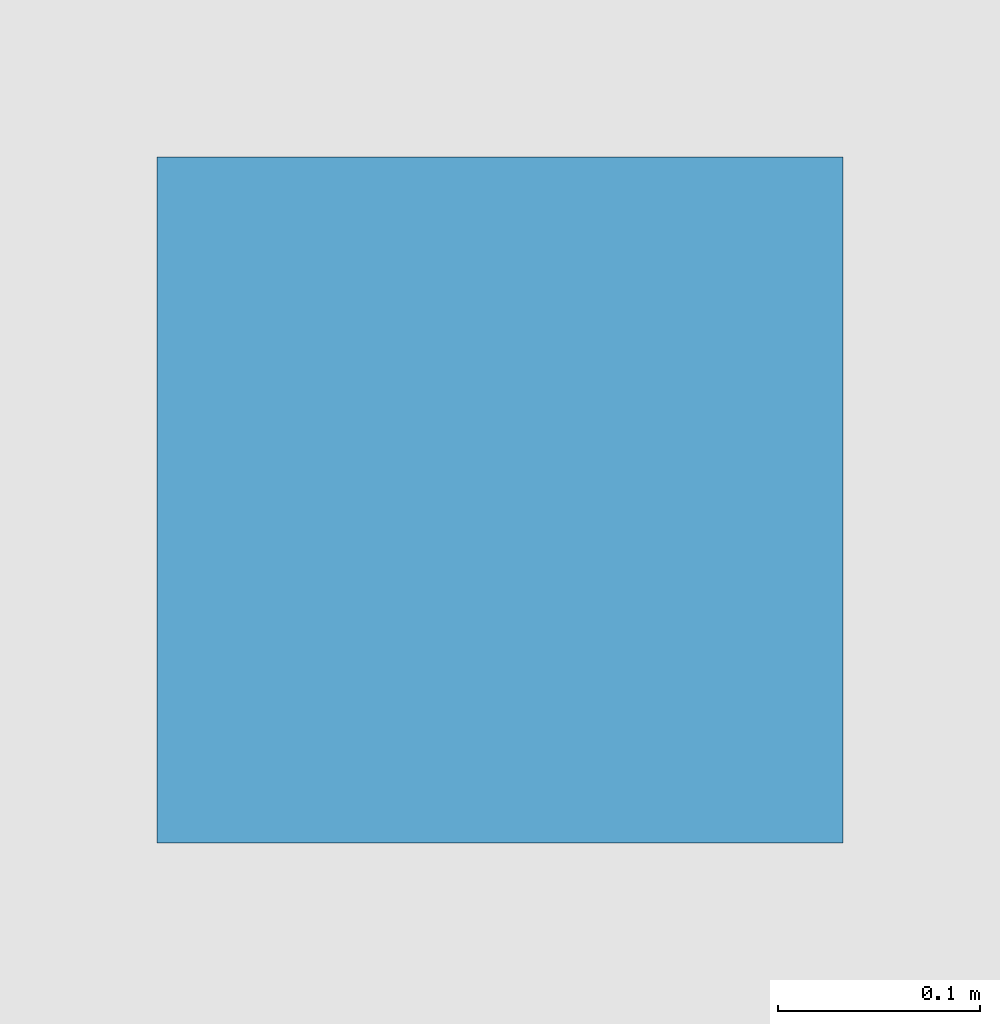
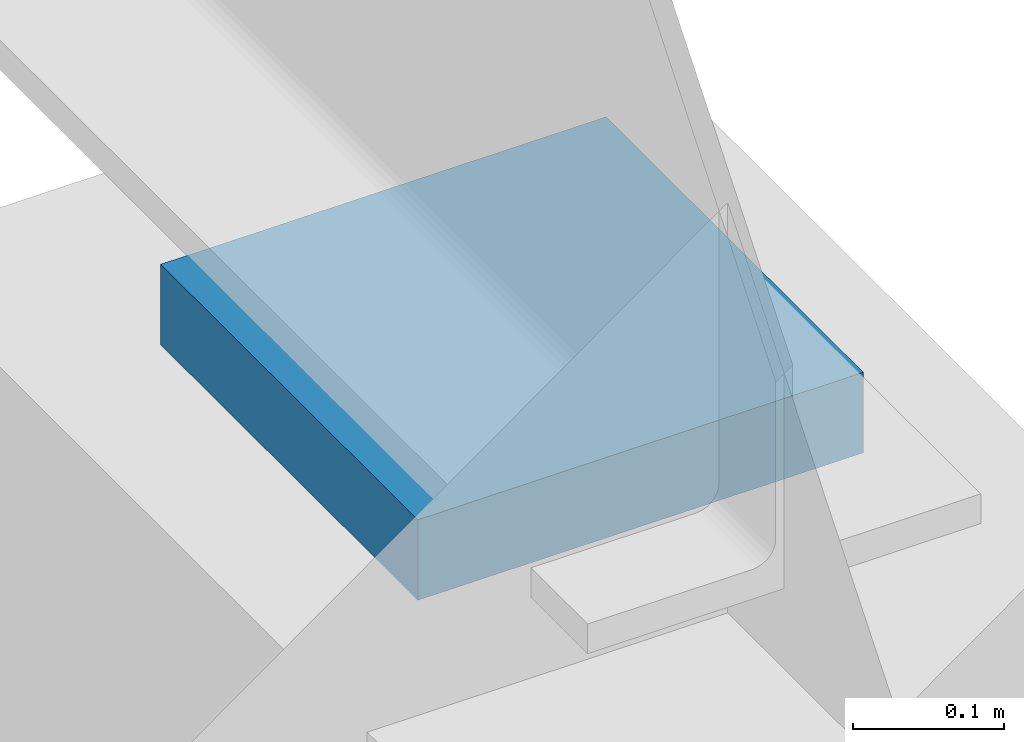
# One storey, part 79 of 97: 1 discrete accessory.
"""IFC4 building model written with IfcOpenShell, lengths in metres."""

from ifc_helpers import new_model, si_unit, direction, frame, origin, origin_2d, place, context, subcontext, project, spatial, rectangle, extrude, material, layer, layer_set, type_object, element, save


model = new_model("IFC4")

# Units and contexts
model_context = context("Model", 3, precision=1e-05, world=origin(), true_north=direction((0.0, 1.0)))
body_context = subcontext(model_context, "Body", "Model", "MODEL_VIEW")
ifc_project = project(units=[si_unit("LENGTHUNIT", "METRE"), si_unit("AREAUNIT", "SQUARE_METRE"), si_unit("VOLUMEUNIT", "CUBIC_METRE"), si_unit("PLANEANGLEUNIT", "RADIAN"), si_unit("MASSUNIT", "GRAM", prefix="KILO")], contexts=[model_context])

# Site, building, storey
site_placement = place(None, origin())
site = spatial("IfcSite", under=ifc_project, at=site_placement, CompositionType="ELEMENT")
building_placement = place(site_placement, origin())
building = spatial("IfcBuilding", under=site, at=building_placement, Name="Kisaragi Civic Commons", CompositionType="ELEMENT")
storey_placement = place(building_placement, origin())
storey = spatial("IfcBuildingStorey", under=building, at=storey_placement, Name="L00", CompositionType="ELEMENT", Elevation=0.0)

# Discrete accessory
ifc_material = material(Name="Steel SN490 (SN490B)", Category="steel")
ifc_layer = layer(ifc_material, 0.06494140625, Name="Steel SN490 (SN490B)", Category="steel")
ifc_layer_set = layer_set([ifc_layer], Name="Steel SN490 (SN490B)")
discrete_accessory_type = type_object("IfcDiscreteAccessoryType", Name="SB-01", PredefinedType="USERDEFINED", material=ifc_layer_set)
discrete_accessory_placement = place(storey_placement, frame((133.199951171875, 25.7099609375, -1.10498046875), z_axis=(0.0, 0.0, 1.0), x_axis=(1.0, 0.0, 0.0)))
element("IfcDiscreteAccessory", 1, at=discrete_accessory_placement, inside=storey, type_object=discrete_accessory_type, Name="PTFE sliding bearing SB-01 14", ObjectType="SLIDING BEARING", PredefinedType="USERDEFINED", context=body_context, shape_type="SweptSolid", body=[
    extrude(rectangle(XDim=0.340087890625, YDim=0.340087890625, at=origin_2d()), origin(), (0.0, 0.0, 1.0), 0.06494140625),
])

save(model, "model.ifc")
